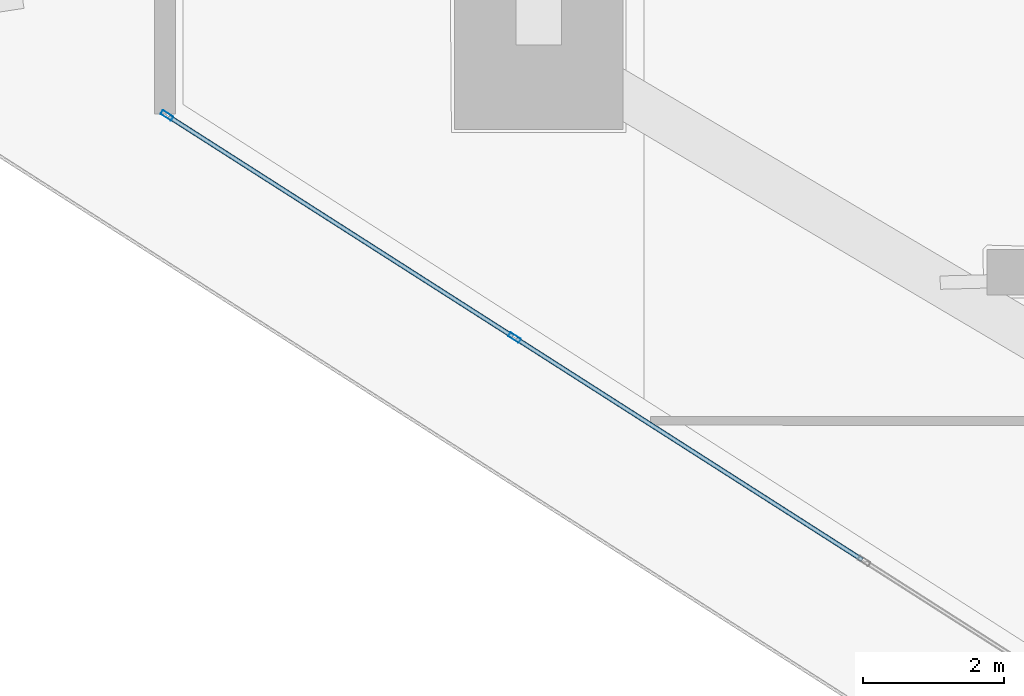
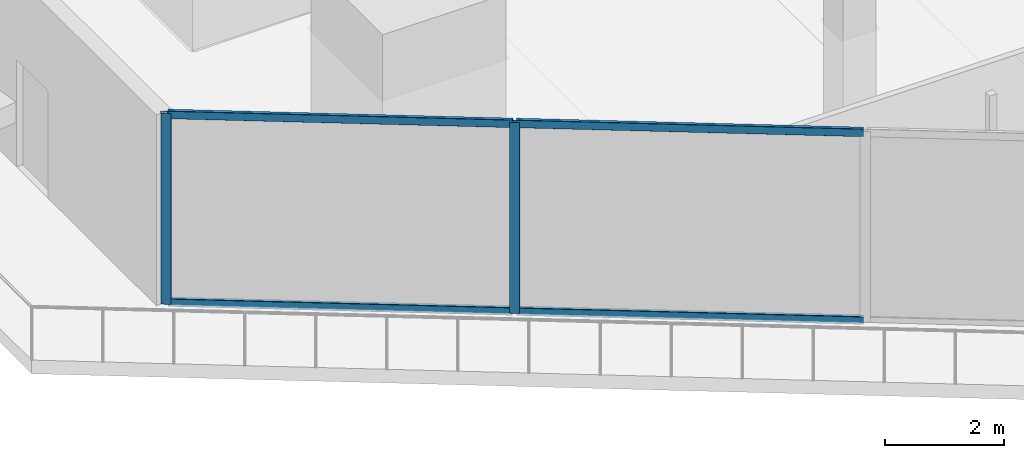
# One storey, part 4 of 44: 6 members, 1 element without a shape of its own.
"""IFC4 building model written with IfcOpenShell, lengths in metres."""

from ifc_helpers import new_model, si_unit, direction, frame, origin, origin_2d, place, context, subcontext, project, spatial, hollow_rectangle, extrude, material, layer, layer_set, material_profile, profile_set, type_object, element, aggregate, save


model = new_model("IFC4")

# Units and contexts
model_context = context("Model", 3, precision=1e-05, world=origin(), true_north=direction((0.0, 1.0)))
body_context = subcontext(model_context, "Body", "Model", "MODEL_VIEW")
ifc_project = project(units=[si_unit("LENGTHUNIT", "METRE"), si_unit("AREAUNIT", "SQUARE_METRE"), si_unit("VOLUMEUNIT", "CUBIC_METRE"), si_unit("PLANEANGLEUNIT", "RADIAN"), si_unit("MASSUNIT", "GRAM", prefix="KILO")], contexts=[model_context])

# Site, building, storey
site_placement = place(None, origin())
site = spatial("IfcSite", under=ifc_project, at=site_placement, CompositionType="ELEMENT")
building_placement = place(site_placement, origin())
building = spatial("IfcBuilding", under=site, at=building_placement, Name="Qorvath Tower", CompositionType="ELEMENT")
storey_placement = place(building_placement, frame((0.0, 0.0, 40.800048828125)))
storey = spatial("IfcBuildingStorey", under=building, at=storey_placement, Name="L08", CompositionType="ELEMENT", Elevation=40.800048828125)

# Curtain wall, members
ifc_material_1 = material(Name="Anodised aluminium and triple low-E glass", Category="aluminium")
ifc_layer = layer(ifc_material_1, 0.179931640625)
ifc_layer_set = layer_set([ifc_layer], Name="CW-SYS-2")
curtain_wall_type = type_object("IfcCurtainWallType", Name="CW-SYS-2", PredefinedType="NOTDEFINED", material=ifc_layer_set)
curtain_wall_placement = place(storey_placement, origin())
curtain_wall = element("IfcCurtainWall", 1, at=curtain_wall_placement, inside=storey, type_object=curtain_wall_type, Name="Curtain Wall CW-2 CW-T-L08-2.1", PredefinedType="NOTDEFINED")
ifc_material_2 = material(Name="Anodised aluminium 6063-T6", Category="aluminium")
ifc_material_profile_1 = material_profile(ifc_material_2, hollow_rectangle(XDim=0.06494140625, YDim=0.179931640625, WallThickness=0.00341796875, InnerFilletRadius=0.00341796875, OuterFilletRadius=0.007080078125, at=origin_2d()), Name="CWM 180x65")
ifc_profile_set_1 = profile_set([ifc_material_profile_1], Name="Anodised aluminium 6063-T6")
member_type_1 = type_object("IfcMemberType", Name="CWM-180", PredefinedType="MULLION", material=ifc_profile_set_1)
member_1_placement = place(storey_placement, frame((-60.57373046875, -4.193603515625, 0.0), z_axis=(0.0, 0.0, 1.0), x_axis=(0.538531853978, 0.842605152044, 0.0)))
member_1 = element("IfcMember", 2, at=member_1_placement, type_object=member_type_1, Name="CW-2 mullion 1", PredefinedType="MULLION", context=body_context, shape_type="SweptSolid", body=[
    extrude(hollow_rectangle(XDim=0.06494140625, YDim=0.179931640625, WallThickness=0.00341796875, InnerFilletRadius=0.00341796875, OuterFilletRadius=0.007080078125, at=origin_2d()), origin(), (0.0, 0.0, 1.0), 3.919921875),
])
member_2_placement = place(storey_placement, frame((-55.62646484375, -7.35546875, 0.0), z_axis=(0.0, 0.0, 1.0), x_axis=(0.538531853978, 0.842605152044, 0.0)))
member_2 = element("IfcMember", 3, at=member_2_placement, type_object=member_type_1, Name="CW-2 mullion 2", PredefinedType="MULLION", context=body_context, shape_type="SweptSolid", body=[
    extrude(hollow_rectangle(XDim=0.06494140625, YDim=0.179931640625, WallThickness=0.00341796875, InnerFilletRadius=0.00341796875, OuterFilletRadius=0.007080078125, at=origin_2d()), origin(), (0.0, 0.0, 1.0), 3.919921875),
])
ifc_material_3 = material(Name="Anodised aluminium 6063-T6", Category="aluminium")
ifc_material_profile_2 = material_profile(ifc_material_3, hollow_rectangle(XDim=0.06494140625, YDim=0.159912109375, WallThickness=0.00341796875, InnerFilletRadius=0.00341796875, OuterFilletRadius=0.007080078125, at=origin_2d()), Name="CWT 160x65")
ifc_profile_set_2 = profile_set([ifc_material_profile_2], Name="Anodised aluminium 6063-T6")
member_type_2 = type_object("IfcMemberType", Name="CWT-160", PredefinedType="USERDEFINED", material=ifc_profile_set_2)
member_3_placement = place(storey_placement, frame((-60.54638671875, -4.2109375, 0.032470703125), z_axis=(0.842607225398, -0.538528609925, 0.0), x_axis=(0.538528609925, 0.842607225398, 0.0)))
member_3 = element("IfcMember", 4, at=member_3_placement, type_object=member_type_2, Name="CW-2 transom 1.1", ObjectType="TRANSOM", PredefinedType="USERDEFINED", context=body_context, shape_type="SweptSolid", body=[
    extrude(hollow_rectangle(XDim=0.06494140625, YDim=0.159912109375, WallThickness=0.00341796875, InnerFilletRadius=0.00341796875, OuterFilletRadius=0.007080078125, at=origin_2d()), origin(), (0.0, 0.0, 1.0), 5.806396484375),
])
member_4_placement = place(storey_placement, frame((-60.54638671875, -4.2109375, 3.887451171875), z_axis=(0.842607225398, -0.538528609925, 0.0), x_axis=(0.538528609925, 0.842607225398, 0.0)))
member_4 = element("IfcMember", 5, at=member_4_placement, type_object=member_type_2, Name="CW-2 transom 1.2", ObjectType="TRANSOM", PredefinedType="USERDEFINED", context=body_context, shape_type="SweptSolid", body=[
    extrude(hollow_rectangle(XDim=0.06494140625, YDim=0.159912109375, WallThickness=0.00341796875, InnerFilletRadius=0.00341796875, OuterFilletRadius=0.007080078125, at=origin_2d()), origin(), (0.0, 0.0, 1.0), 5.806396484375),
])
member_5_placement = place(storey_placement, frame((-55.59912109375, -7.373046875, 0.032470703125), z_axis=(0.842618260885, -0.538511342891, 0.0), x_axis=(0.538511342891, 0.842618260885, 0.0)))
member_5 = element("IfcMember", 6, at=member_5_placement, type_object=member_type_2, Name="CW-2 transom 2.1", ObjectType="TRANSOM", PredefinedType="USERDEFINED", context=body_context, shape_type="SweptSolid", body=[
    extrude(hollow_rectangle(XDim=0.06494140625, YDim=0.159912109375, WallThickness=0.00341796875, InnerFilletRadius=0.00341796875, OuterFilletRadius=0.007080078125, at=origin_2d()), origin(), (0.0, 0.0, 1.0), 5.8388671875),
])
member_6_placement = place(storey_placement, frame((-55.59912109375, -7.373046875, 3.887451171875), z_axis=(0.842618260885, -0.538511342891, 0.0), x_axis=(0.538511342891, 0.842618260885, 0.0)))
member_6 = element("IfcMember", 7, at=member_6_placement, type_object=member_type_2, Name="CW-2 transom 2.2", ObjectType="TRANSOM", PredefinedType="USERDEFINED", context=body_context, shape_type="SweptSolid", body=[
    extrude(hollow_rectangle(XDim=0.06494140625, YDim=0.159912109375, WallThickness=0.00341796875, InnerFilletRadius=0.00341796875, OuterFilletRadius=0.007080078125, at=origin_2d()), origin(), (0.0, 0.0, 1.0), 5.8388671875),
])
aggregate(curtain_wall, [member_1, member_2, member_3, member_4, member_5, member_6])

save(model, "model.ifc")
